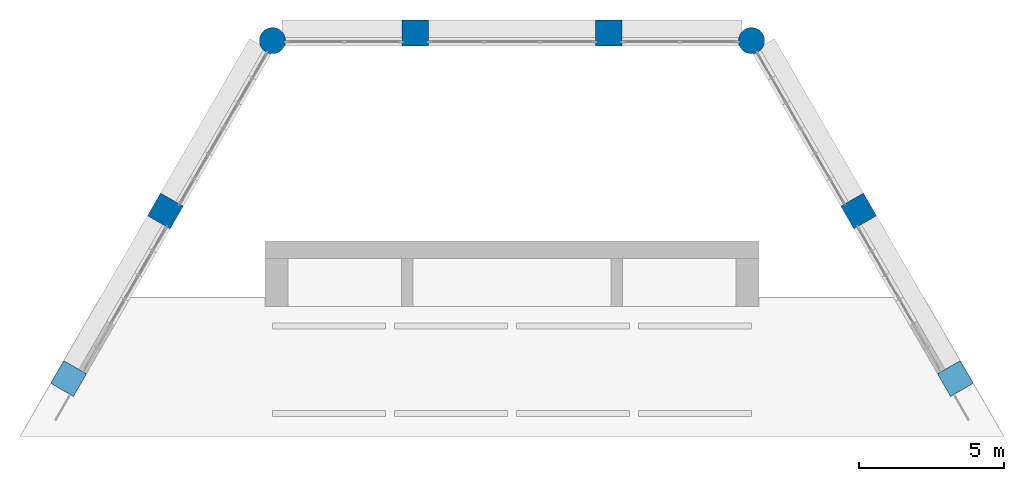
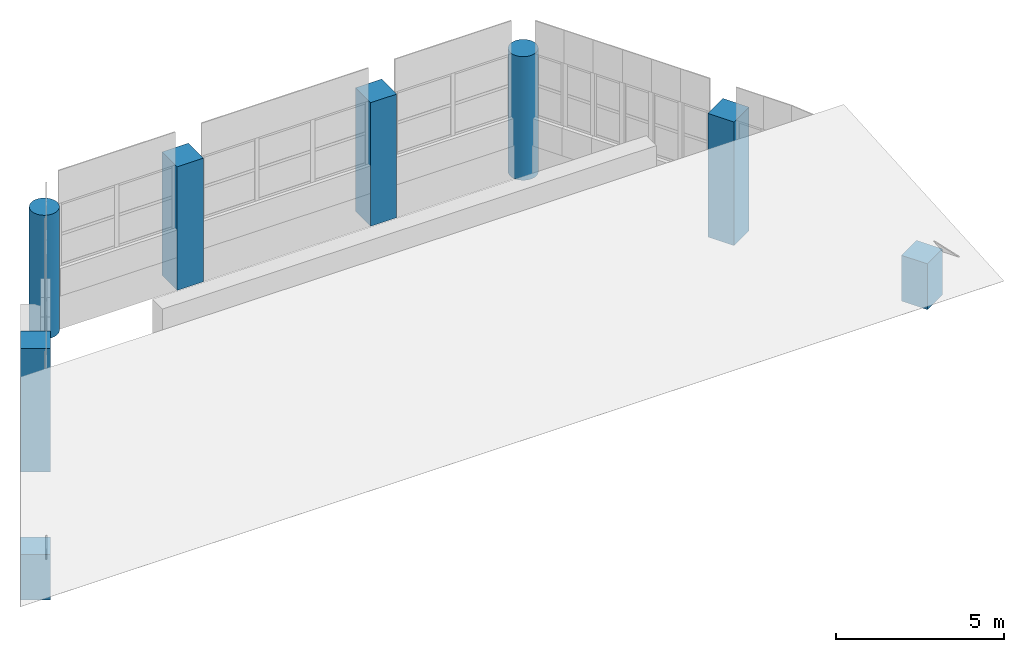
# One storey, part 1 of 11: 8 columns.
"""IFC4 building model written with IfcOpenShell, lengths in metres."""

from ifc_helpers import new_model, si_unit, direction, frame, origin, origin_2d, place, context, subcontext, project, spatial, rectangle, circle, extrude, material, material_profile, profile_set, type_object, element, save


model = new_model("IFC4")

# Units and contexts
model_context = context("Model", 3, precision=1e-05, world=origin(), true_north=direction((0.0, 1.0)))
body_context = subcontext(model_context, "Body", "Model", "MODEL_VIEW")
ifc_project = project(units=[si_unit("LENGTHUNIT", "METRE"), si_unit("AREAUNIT", "SQUARE_METRE"), si_unit("VOLUMEUNIT", "CUBIC_METRE"), si_unit("PLANEANGLEUNIT", "RADIAN"), si_unit("MASSUNIT", "GRAM", prefix="KILO")], contexts=[model_context])

# Site, building, storey
site_placement = place(None, origin())
site = spatial("IfcSite", under=ifc_project, at=site_placement, CompositionType="ELEMENT")
building_placement = place(site_placement, origin())
building = spatial("IfcBuilding", under=site, at=building_placement, Name="Ostrander Bayou Hotel Tower", CompositionType="ELEMENT")
storey_placement = place(building_placement, frame((0.0, 0.0, 293.0)))
storey = spatial("IfcBuildingStorey", under=building, at=storey_placement, Name="Roof 72", CompositionType="ELEMENT", Elevation=293.0)

# Columns
ifc_material_1 = material(Name="Concrete f'c 60 MPa", Category="concrete")
ifc_material_profile_1 = material_profile(ifc_material_1, circle(Radius=0.449951171875, at=origin_2d()))
ifc_profile_set_1 = profile_set([ifc_material_profile_1], Name="Concrete f'c 60 MPa")
column_type_1 = type_object("IfcColumnType", Name="C7 round column 900 mm f'c 60 MPa", PredefinedType="COLUMN", material=ifc_profile_set_1)
for number, where, z_axis, x_axis, name in (
    (1, (-8.2421875, 16.588623046875, -1.199951171875), (0.0, 0.0, 1.0), (1.0, 0.0, 0.0), "C7 L72 K0"),
    (2, (8.2421875, 16.588623046875, -1.199951171875), (0.0, 0.0, 1.0), (1.0, 0.0, 0.0), "C7 L72 K5"),
):
    element("IfcColumn", number, at=place(storey_placement, frame(where, z_axis=z_axis, x_axis=x_axis)), inside=storey, type_object=column_type_1, Name=name, PredefinedType="COLUMN", context=body_context, shape_type="SweptSolid", body=[
        extrude(circle(Radius=0.449951171875, at=origin_2d()), origin(), (0.0, 0.0, 1.0), 4.5),
    ])
ifc_material_2 = material(Name="Concrete f'c 60 MPa", Category="concrete")
ifc_material_profile_2 = material_profile(ifc_material_2, rectangle(XDim=0.89990234375, YDim=0.89990234375, at=origin_2d()))
ifc_profile_set_2 = profile_set([ifc_material_profile_2], Name="Concrete f'c 60 MPa")
column_type_2 = type_object("IfcColumnType", Name="C8 square column 900 x 900 mm f'c 60 MPa", PredefinedType="COLUMN", material=ifc_profile_set_2)
for number, where, z_axis, x_axis, name in (
    (3, (3.329345703125, 16.85009765625, -1.199951171875), (0.0, 0.0, 1.0), (1.0, 0.0, 0.0), "C8 L72 N1"),
    (4, (-3.329345703125, 16.85009765625, -1.199951171875), (0.0, 0.0, 1.0), (1.0, 0.0, 0.0), "C8 L72 N2"),
    (5, (-11.92626953125, 10.72998046875, -1.199951171875), (0.0, 0.0, 1.0), (0.5, 0.866025403784, 0.0), "C8 L72 NW1"),
):
    element("IfcColumn", number, at=place(storey_placement, frame(where, z_axis=z_axis, x_axis=x_axis)), inside=storey, type_object=column_type_2, Name=name, PredefinedType="COLUMN", context=body_context, shape_type="SweptSolid", body=[
        extrude(rectangle(XDim=0.89990234375, YDim=0.89990234375, at=origin_2d()), origin(), (0.0, 0.0, 1.0), 4.5),
    ])
for number, where, z_axis, x_axis, name in (
    (6, (-15.255615234375, 4.96337890625, -1.199951171875), (0.0, 0.0, 1.0), (0.5, 0.866025403784, 0.0), "C8 L72 NW2"),
    (7, (15.255615234375, 4.96337890625, -1.199951171875), (0.0, 0.0, 1.0), (0.5, -0.866025403784, 0.0), "C8 L72 NE1"),
):
    element("IfcColumn", number, at=place(storey_placement, frame(where, z_axis=z_axis, x_axis=x_axis)), inside=storey, type_object=column_type_2, Name=name, PredefinedType="COLUMN", context=body_context, shape_type="SweptSolid", body=[
        extrude(rectangle(XDim=0.89990234375, YDim=0.89990234375, at=origin_2d()), origin(), (0.0, 0.0, 1.0), 1.666748046875),
    ])
column_placement = place(storey_placement, frame((11.92626953125, 10.72998046875, -1.199951171875), z_axis=(0.0, 0.0, 1.0), x_axis=(0.5, -0.866025403784, 0.0)))
element("IfcColumn", 8, at=column_placement, inside=storey, type_object=column_type_2, Name="C8 L72 NE2", PredefinedType="COLUMN", context=body_context, shape_type="SweptSolid", body=[
    extrude(rectangle(XDim=0.89990234375, YDim=0.89990234375, at=origin_2d()), origin(), (0.0, 0.0, 1.0), 4.5),
])

save(model, "model.ifc")
